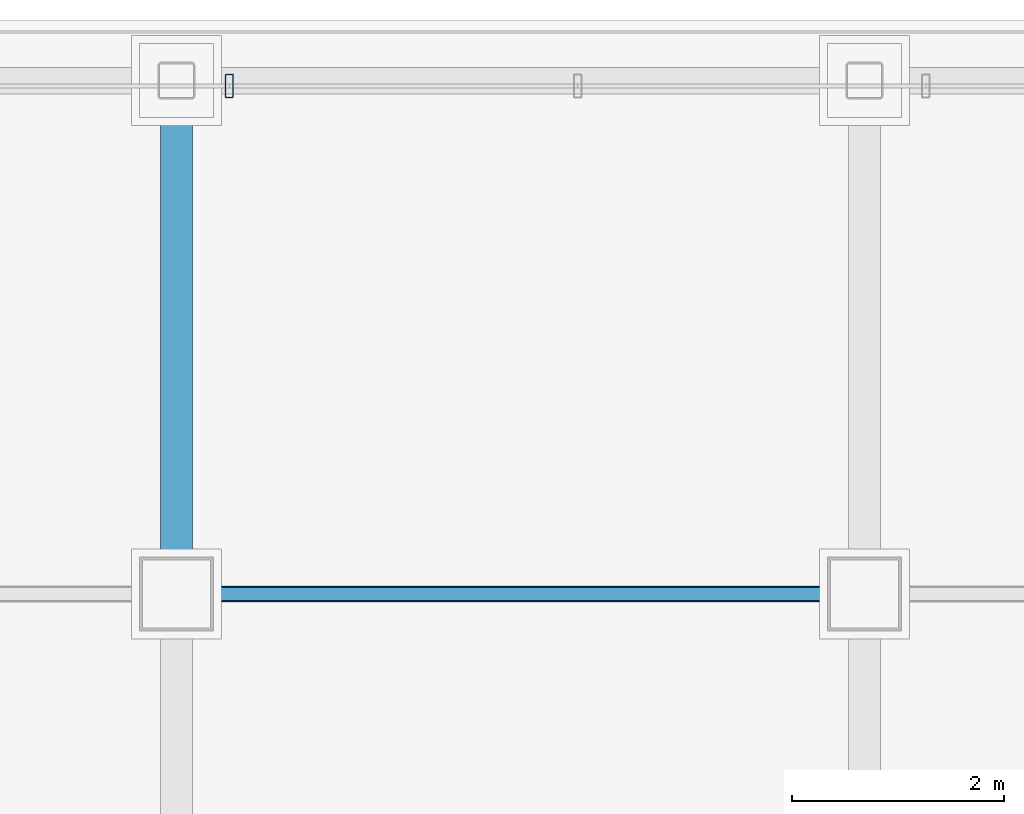
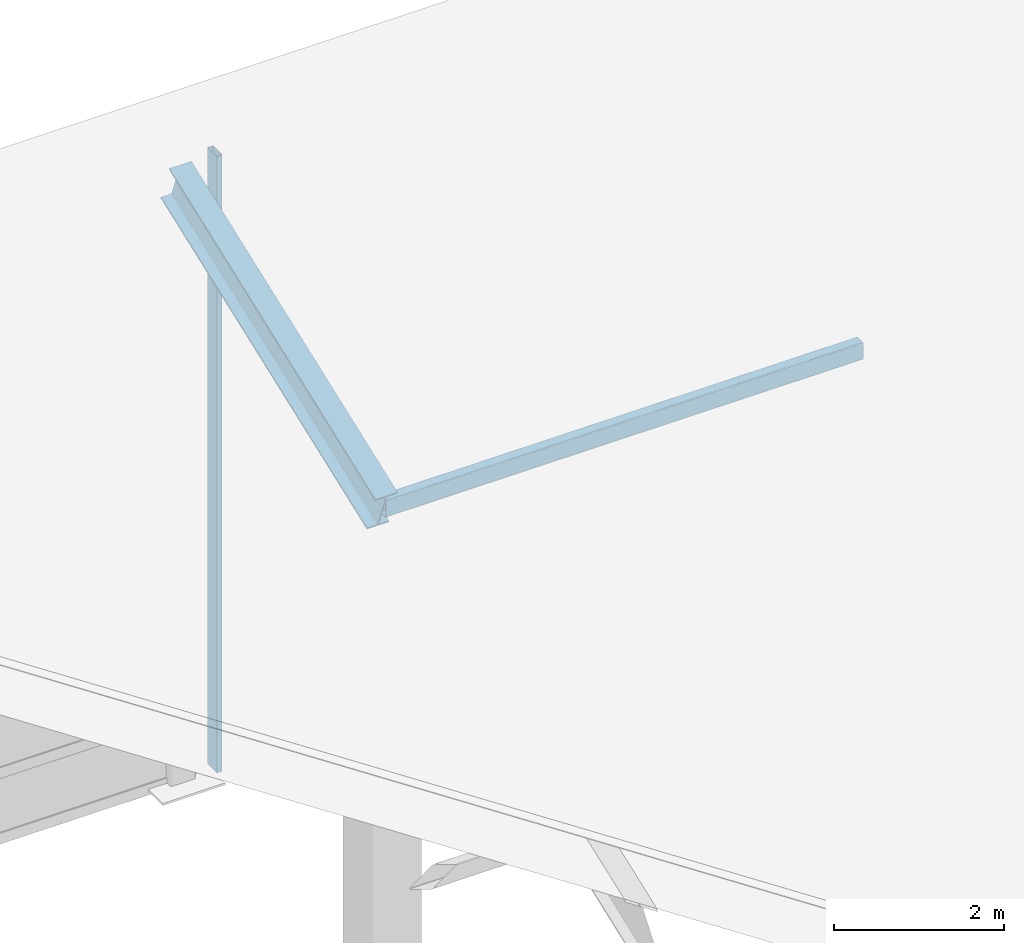
# One storey, part 7 of 12: 2 members, 1 beam, 1 element without a shape of its own.
"""IFC4 building model written with IfcOpenShell, lengths in metres."""

from ifc_helpers import new_model, si_unit, direction, frame, origin, origin_2d, place, context, subcontext, project, spatial, hollow_rectangle, i_section, extrude, material, material_profile, profile_set, type_object, element, aggregate, save


model = new_model("IFC4")

# Units and contexts
model_context = context("Model", 3, precision=1e-05, world=origin(), true_north=direction((0.0, 1.0)))
body_context = subcontext(model_context, "Body", "Model", "MODEL_VIEW")
ifc_project = project(units=[si_unit("LENGTHUNIT", "METRE"), si_unit("AREAUNIT", "SQUARE_METRE"), si_unit("VOLUMEUNIT", "CUBIC_METRE"), si_unit("PLANEANGLEUNIT", "RADIAN"), si_unit("MASSUNIT", "GRAM", prefix="KILO")], contexts=[model_context])

# Site, building, storey
site_placement = place(None, origin())
site = spatial("IfcSite", under=ifc_project, at=site_placement, CompositionType="ELEMENT")
building_placement = place(site_placement, origin())
building = spatial("IfcBuilding", under=site, at=building_placement, Name="Noeulbin Bourse Tower", CompositionType="ELEMENT")
storey_placement = place(building_placement, frame((0.0, 0.0, 317.39990234375)))
storey = spatial("IfcBuildingStorey", under=building, at=storey_placement, Name="RF", CompositionType="ELEMENT", Elevation=317.39990234375)

# Beam
ifc_material_1 = material(Name="Steel S355", Category="steel")
ifc_material_profile_1 = material_profile(ifc_material_1, i_section(OverallWidth=0.300048828125, OverallDepth=0.587890625, WebThickness=0.011962890625, FlangeThickness=0.02001953125, FilletRadius=0.02392578125, at=origin_2d()), Name="H-588x300x12x20", Category="LoadBearing")
ifc_profile_set_1 = profile_set([ifc_material_profile_1], Name="Steel S355")
beam_type = type_object("IfcBeamType", Name="BM-GRD-588", PredefinedType="USERDEFINED", material=ifc_profile_set_1)
beam_placement = place(storey_placement, frame((31.0, 38.300048828125, 6.7529296875), z_axis=(0.0, 0.936675578979, 0.350198314879), x_axis=(-1.0, 0.0, 0.0)))
element("IfcBeam", 1, at=beam_placement, inside=storey, type_object=beam_type, Name="Sloped Crown Rafter G-588-02.3", ObjectType="GIRDER", PredefinedType="USERDEFINED", context=body_context, shape_type="SweptSolid", body=[
    extrude(i_section(OverallWidth=0.300048828125, OverallDepth=0.587890625, WebThickness=0.011962890625, FlangeThickness=0.02001953125, FilletRadius=0.02392578125, at=origin_2d()), origin(), (0.0, 0.0, 1.0), 5.177734375),
])

# Curtain wall, member
ifc_material_2 = material(Name="Translucent Ceramic-Fritted Glass", Category="glass")
curtain_wall_type = type_object("IfcCurtainWallType", Name="CW-SYS-5", PredefinedType="NOTDEFINED", material=ifc_material_2)
curtain_wall_placement = place(storey_placement, origin())
curtain_wall = element("IfcCurtainWall", 2, at=curtain_wall_placement, inside=storey, type_object=curtain_wall_type, Name="Unitised Curtain Wall CW-RF-CRN-N", PredefinedType="NOTDEFINED")
ifc_material_3 = material(Name="Anodised Aluminium 6063-T6", Category="aluminium")
ifc_material_profile_2 = material_profile(ifc_material_3, hollow_rectangle(XDim=0.074951171875, YDim=0.219970703125, WallThickness=0.0048828125, InnerFilletRadius=0.00244140625, OuterFilletRadius=0.0048828125, at=origin_2d()), Name="ALU-MULL-75x220x5", Category="LoadBearing")
ifc_profile_set_2 = profile_set([ifc_material_profile_2], Name="Anodised Aluminium 6063-T6")
member_type_1 = type_object("IfcMemberType", Name="CW-SYS-5-MUL", PredefinedType="MULLION", material=ifc_profile_set_2)
member_1_placement = place(storey_placement, frame((31.5, 43.10009765625, -0.02001953125), z_axis=(0.0, 0.0, 1.0), x_axis=(1.0, 0.0, 0.0)))
member_1 = element("IfcMember", 3, at=member_1_placement, type_object=member_type_1, Name="Curtain Wall Mullion CW-RF-CRN-N-M05", PredefinedType="MULLION", context=body_context, shape_type="SweptSolid", body=[
    extrude(hollow_rectangle(XDim=0.074951171875, YDim=0.219970703125, WallThickness=0.0048828125, InnerFilletRadius=0.00244140625, OuterFilletRadius=0.0048828125, at=origin_2d()), origin(), (0.0, 0.0, 1.0), 8.851318359375),
])
aggregate(curtain_wall, [member_1])

# Member
ifc_material_profile_3 = material_profile(ifc_material_1, hollow_rectangle(XDim=0.14990234375, YDim=0.25, WallThickness=0.010009765625, InnerFilletRadius=0.010009765625, OuterFilletRadius=0.02001953125, at=origin_2d()), Name="RHS-250x150x10", Category="LoadBearing")
ifc_profile_set_3 = profile_set([ifc_material_profile_3], Name="Steel S355")
member_type_2 = type_object("IfcMemberType", Name="MEM-PRL-250", PredefinedType="PURLIN", material=ifc_profile_set_3)
member_2_placement = place(storey_placement, frame((31.010009765625, 38.300048828125, 6.816650390625), z_axis=(1.0, 0.0, 0.0), x_axis=(0.0, 1.0, 0.0)))
element("IfcMember", 4, at=member_2_placement, inside=storey, type_object=member_type_2, Name="Crown Roof Purlin 5.2", PredefinedType="PURLIN", context=body_context, shape_type="SweptSolid", body=[
    extrude(hollow_rectangle(XDim=0.14990234375, YDim=0.25, WallThickness=0.010009765625, InnerFilletRadius=0.010009765625, OuterFilletRadius=0.02001953125, at=origin_2d()), origin(), (0.0, 0.0, 1.0), 6.47998046875),
])

save(model, "model.ifc")
